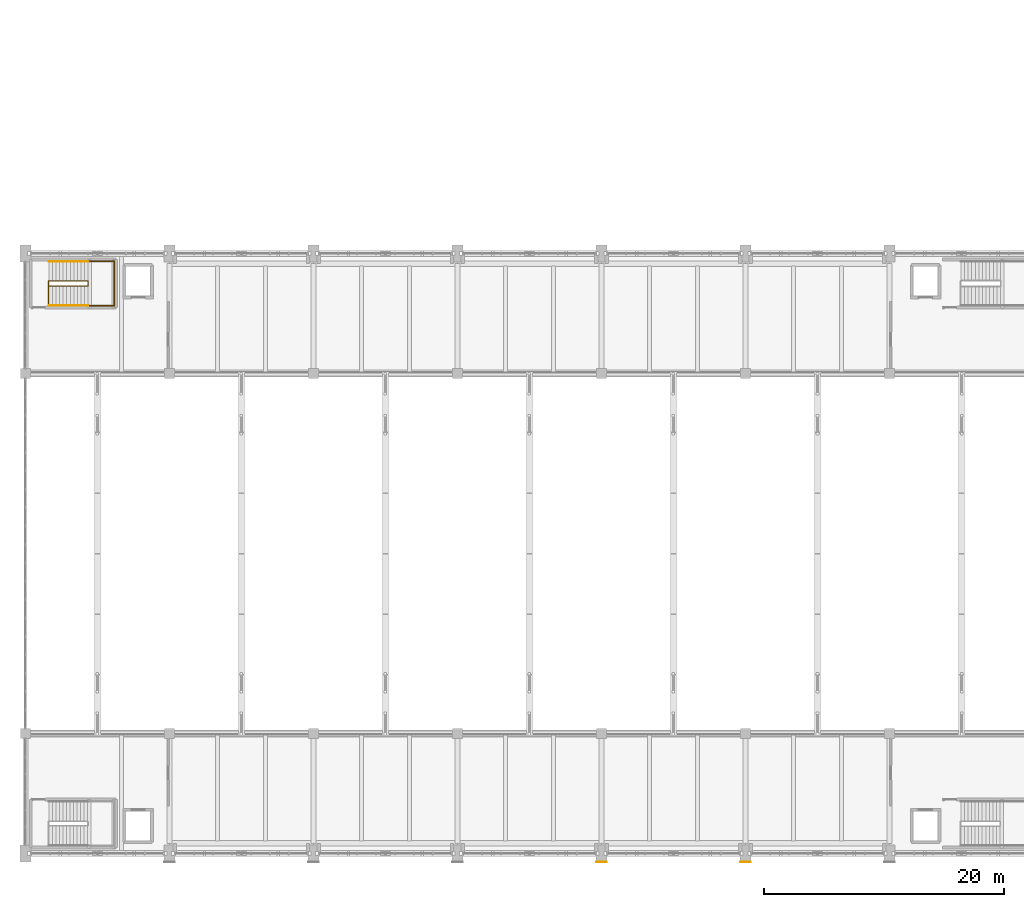
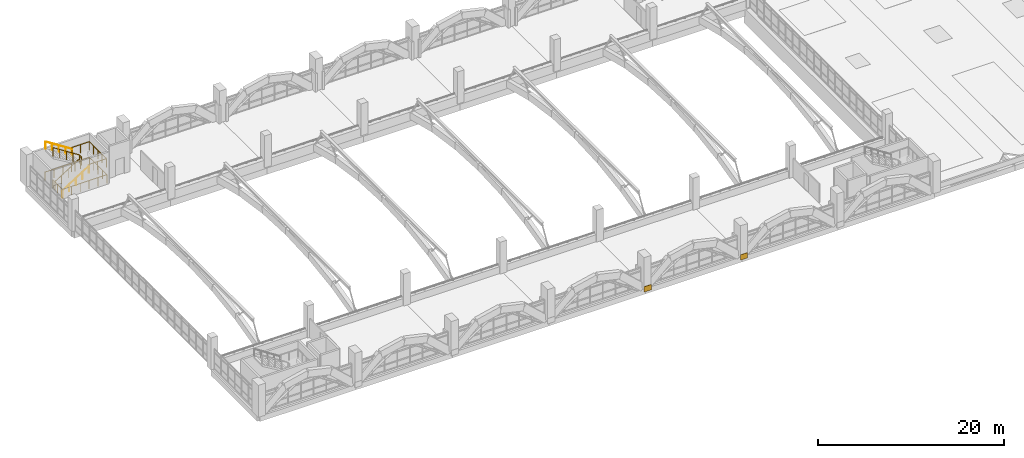
# One storey, part 155 of 161: 5 railings, 2 coverings.
"""IFC4 building model written with IfcOpenShell, lengths in metres."""

from ifc_helpers import new_model, si_unit, direction, frame, origin, origin_2d, place, context, subcontext, project, spatial, polyline, circle, outline, extrude, material, layer, layer_set, type_object, element, save


model = new_model("IFC4")

# Units and contexts
model_context = context("Model", 3, precision=1e-05, world=origin(), true_north=direction((0.0, 1.0)))
body_context = subcontext(model_context, "Body", "Model", "MODEL_VIEW")
ifc_project = project(units=[si_unit("LENGTHUNIT", "METRE"), si_unit("AREAUNIT", "SQUARE_METRE"), si_unit("VOLUMEUNIT", "CUBIC_METRE"), si_unit("PLANEANGLEUNIT", "RADIAN"), si_unit("MASSUNIT", "GRAM", prefix="KILO")], contexts=[model_context])

# Site, building, storey
site_placement = place(None, origin())
site = spatial("IfcSite", under=ifc_project, at=site_placement, CompositionType="ELEMENT")
building_placement = place(site_placement, origin())
building = spatial("IfcBuilding", under=site, at=building_placement, Name="Mersad Railyard Sports Hall", CompositionType="ELEMENT")
storey_placement = place(building_placement, frame((0.0, 0.0, 4.800048828125)))
storey = spatial("IfcBuildingStorey", under=building, at=storey_placement, Name="L01", CompositionType="ELEMENT", Elevation=4.800048828125)

# Coverings
ifc_material_1 = material(Name="Precast concrete C45/55", Category="concrete")
ifc_layer = layer(ifc_material_1, 0.0400390625)
ifc_layer_set = layer_set([ifc_layer], Name="Precast concrete C45/55")
covering_type = type_object("IfcCoveringType", Name="ARC-CV-CD01", PredefinedType="CLADDING", material=ifc_layer_set)
covering_1_placement = place(storey_placement, frame((0.0, 0.0, -0.300048828125)))
element("IfcCovering", 1, at=covering_1_placement, inside=storey, type_object=covering_type, Name="Arcade pier precast cladding 4 038", PredefinedType="CLADDING", context=body_context, shape_type="SweptSolid", body=[
    extrude(outline(polyline([(54.550048828125, 2.77001953125), (55.449951171875, 2.77001953125), (55.449951171875, 2.81005859375), (54.550048828125, 2.81005859375), (54.550048828125, 2.77001953125)])), origin(), (0.0, 0.0, 1.0), 0.699951171875),
])
covering_2_placement = place(storey_placement, frame((0.0, 0.0, -0.300048828125)))
element("IfcCovering", 2, at=covering_2_placement, inside=storey, type_object=covering_type, Name="Arcade pier precast cladding 5 039", PredefinedType="CLADDING", context=body_context, shape_type="SweptSolid", body=[
    extrude(outline(polyline([(66.550048828125, 2.77001953125), (67.449951171875, 2.77001953125), (67.449951171875, 2.81005859375), (66.550048828125, 2.81005859375), (66.550048828125, 2.77001953125)])), origin(), (0.0, 0.0, 1.0), 0.699951171875),
])

# Railings
ifc_material_2 = material(Name="Steel S355", Category="steel")
railing_type_1 = type_object("IfcRailingType", Name="ARC-RL-GR01", PredefinedType="GUARDRAIL", material=ifc_material_2)
railing_1_placement = place(storey_placement, frame((8.909912109375, 51.2099609375, 0.0)))
element("IfcRailing", 3, at=railing_1_placement, inside=storey, type_object=railing_type_1, Name="Interior guard GR01-0125", PredefinedType="GUARDRAIL", context=body_context, shape_type="SweptSolid", body=[
    extrude(circle(Radius=0.02392578125, at=origin_2d()), frame((0.0, 0.0, 1.09619140625), z_axis=(0.0, -1.0, 0.0), x_axis=(1.0, 0.0, 0.0)), (0.0, 0.0, 1.0), 2.08984375),
    extrude(circle(Radius=0.02392578125, at=origin_2d()), frame((0.0, -2.08984375, 1.09619140625), z_axis=(1.0, 0.0, 0.0), x_axis=(0.0, 1.0, 0.0)), (0.0, 0.0, 1.0), 5.52001953125),
    extrude(circle(Radius=0.02392578125, at=origin_2d()), frame((5.52001953125, -2.08984375, 1.09619140625), z_axis=(0.0, 1.0, 0.0), x_axis=(-1.0, 0.0, 0.0)), (0.0, 0.0, 1.0), 3.759765625),
    extrude(circle(Radius=0.02392578125, at=origin_2d()), frame((5.52001953125, 1.669921875, 1.09619140625), z_axis=(-1.0, 0.0, 0.0), x_axis=(0.0, -1.0, 0.0)), (0.0, 0.0, 1.0), 5.52001953125),
    extrude(circle(Radius=0.02099609375, at=origin_2d()), origin(), (0.0, 0.0, 1.0), 1.072021484375),
    extrude(circle(Radius=0.02099609375, at=origin_2d()), frame((0.0, -1.044921875, 0.0)), (0.0, 0.0, 1.0), 1.072021484375),
    extrude(circle(Radius=0.02099609375, at=origin_2d()), frame((0.0, -2.08984375, 0.0)), (0.0, 0.0, 1.0), 1.072021484375),
    extrude(circle(Radius=0.02099609375, at=origin_2d()), frame((1.10400390625, -2.08984375, 0.0)), (0.0, 0.0, 1.0), 1.072021484375),
    extrude(circle(Radius=0.02099609375, at=origin_2d()), frame((2.2080078125, -2.08984375, 0.0)), (0.0, 0.0, 1.0), 1.072021484375),
    extrude(circle(Radius=0.02099609375, at=origin_2d()), frame((3.31201171875, -2.08984375, 0.0)), (0.0, 0.0, 1.0), 1.072021484375),
    extrude(circle(Radius=0.02099609375, at=origin_2d()), frame((4.416015625, -2.08984375, 0.0)), (0.0, 0.0, 1.0), 1.072021484375),
    extrude(circle(Radius=0.02099609375, at=origin_2d()), frame((5.52001953125, -2.08984375, 0.0)), (0.0, 0.0, 1.0), 1.072021484375),
    extrude(circle(Radius=0.02099609375, at=origin_2d()), frame((5.52001953125, -1.14990234375, 0.0)), (0.0, 0.0, 1.0), 1.072021484375),
    extrude(circle(Radius=0.02099609375, at=origin_2d()), frame((5.52001953125, -0.2099609375, 0.0)), (0.0, 0.0, 1.0), 1.072021484375),
    extrude(circle(Radius=0.02099609375, at=origin_2d()), frame((5.52001953125, 0.72998046875, 0.0)), (0.0, 0.0, 1.0), 1.072021484375),
    extrude(circle(Radius=0.02099609375, at=origin_2d()), frame((5.52001953125, 1.669921875, 0.0)), (0.0, 0.0, 1.0), 1.072021484375),
    extrude(circle(Radius=0.02099609375, at=origin_2d()), frame((4.416015625, 1.669921875, 0.0)), (0.0, 0.0, 1.0), 1.072021484375),
    extrude(circle(Radius=0.02099609375, at=origin_2d()), frame((3.31201171875, 1.669921875, 0.0)), (0.0, 0.0, 1.0), 1.072021484375),
    extrude(circle(Radius=0.02099609375, at=origin_2d()), frame((2.2080078125, 1.669921875, 0.0)), (0.0, 0.0, 1.0), 1.072021484375),
    extrude(circle(Radius=0.02099609375, at=origin_2d()), frame((1.10400390625, 1.669921875, 0.0)), (0.0, 0.0, 1.0), 1.072021484375),
    extrude(circle(Radius=0.02099609375, at=origin_2d()), frame((0.0, 1.669921875, 0.0)), (0.0, 0.0, 1.0), 1.072021484375),
])
railing_2_placement = place(storey_placement, frame((8.949951171875, 50.7900390625, 0.0)))
element("IfcRailing", 4, at=railing_2_placement, inside=storey, type_object=railing_type_1, Name="Interior guard GR01-0128", PredefinedType="GUARDRAIL", context=body_context, shape_type="SweptSolid", body=[
    extrude(circle(Radius=0.02392578125, at=origin_2d()), frame((0.0, 0.0, 1.09619140625), z_axis=(0.842051513744, 0.0, 0.539397115492), x_axis=(0.0, 1.0, 0.0)), (0.0, 0.0, 1.0), 3.89306640625),
    extrude(circle(Radius=0.02392578125, at=origin_2d()), frame((3.278076171875, 0.0, 3.19580078125), z_axis=(0.0, 1.0, 0.0), x_axis=(-1.0, 0.0, 0.0)), (0.0, 0.0, 1.0), 0.419921875),
    extrude(circle(Radius=0.02392578125, at=origin_2d()), frame((3.278076171875, 0.419921875, 3.19580078125), z_axis=(-0.842023029142, 0.0, 0.53944158015), x_axis=(0.0, -1.0, 0.0)), (0.0, 0.0, 1.0), 3.89306640625),
    extrude(circle(Radius=0.02099609375, at=origin_2d()), origin(), (0.0, 0.0, 1.0), 1.072021484375),
    extrude(circle(Radius=0.02099609375, at=origin_2d()), frame((0.819580078125, 0.0, 0.52490234375)), (0.0, 0.0, 1.0), 1.072021484375),
    extrude(circle(Radius=0.02099609375, at=origin_2d()), frame((1.63916015625, 0.0, 1.0498046875)), (0.0, 0.0, 1.0), 1.072021484375),
    extrude(circle(Radius=0.02099609375, at=origin_2d()), frame((2.45849609375, 0.0, 1.574951171875)), (0.0, 0.0, 1.0), 1.072021484375),
    extrude(circle(Radius=0.02099609375, at=origin_2d()), frame((3.278076171875, 0.0, 2.099853515625)), (0.0, 0.0, 1.0), 1.072021484375),
    extrude(circle(Radius=0.02099609375, at=origin_2d()), frame((3.278076171875, 0.419921875, 2.099853515625)), (0.0, 0.0, 1.0), 1.072021484375),
    extrude(circle(Radius=0.02099609375, at=origin_2d()), frame((2.45849609375, 0.419921875, 2.625)), (0.0, 0.0, 1.0), 1.072021484375),
    extrude(circle(Radius=0.02099609375, at=origin_2d()), frame((1.63916015625, 0.419921875, 3.14990234375)), (0.0, 0.0, 1.0), 1.072021484375),
    extrude(circle(Radius=0.02099609375, at=origin_2d()), frame((0.819580078125, 0.419921875, 3.6748046875)), (0.0, 0.0, 1.0), 1.072021484375),
    extrude(circle(Radius=0.02099609375, at=origin_2d()), frame((0.0, 0.419921875, 4.199951171875)), (0.0, 0.0, 1.0), 1.072021484375),
])
railing_3_placement = place(storey_placement, frame((12.22802734375, 49.159912109375, 2.099853515625)))
element("IfcRailing", 5, at=railing_3_placement, inside=storey, type_object=railing_type_1, Name="Interior guard GR01-0129", PredefinedType="GUARDRAIL", context=body_context, shape_type="SweptSolid", body=[
    extrude(circle(Radius=0.02392578125, at=origin_2d()), frame((0.0, 0.0, 1.09619140625), z_axis=(1.0, 0.0, 0.0), x_axis=(0.0, 1.0, 0.0)), (0.0, 0.0, 1.0), 2.161865234375),
    extrude(circle(Radius=0.02392578125, at=origin_2d()), frame((2.161865234375, 0.0, 1.09619140625), z_axis=(0.0, 1.0, 0.0), x_axis=(-1.0, 0.0, 0.0)), (0.0, 0.0, 1.0), 3.68017578125),
    extrude(circle(Radius=0.02392578125, at=origin_2d()), frame((2.161865234375, 3.68017578125, 1.09619140625), z_axis=(-1.0, 0.0, 0.0), x_axis=(0.0, -1.0, 0.0)), (0.0, 0.0, 1.0), 2.161865234375),
    extrude(circle(Radius=0.02099609375, at=origin_2d()), origin(), (0.0, 0.0, 1.0), 1.072021484375),
    extrude(circle(Radius=0.02099609375, at=origin_2d()), frame((1.0810546875, 0.0, 0.0)), (0.0, 0.0, 1.0), 1.072021484375),
    extrude(circle(Radius=0.02099609375, at=origin_2d()), frame((2.161865234375, 0.0, 0.0)), (0.0, 0.0, 1.0), 1.072021484375),
    extrude(circle(Radius=0.02099609375, at=origin_2d()), frame((2.161865234375, 0.919921875, 0.0)), (0.0, 0.0, 1.0), 1.072021484375),
    extrude(circle(Radius=0.02099609375, at=origin_2d()), frame((2.161865234375, 1.840087890625, 0.0)), (0.0, 0.0, 1.0), 1.072021484375),
    extrude(circle(Radius=0.02099609375, at=origin_2d()), frame((2.161865234375, 2.76025390625, 0.0)), (0.0, 0.0, 1.0), 1.072021484375),
    extrude(circle(Radius=0.02099609375, at=origin_2d()), frame((2.161865234375, 3.68017578125, 0.0)), (0.0, 0.0, 1.0), 1.072021484375),
    extrude(circle(Radius=0.02099609375, at=origin_2d()), frame((1.0810546875, 3.68017578125, 0.0)), (0.0, 0.0, 1.0), 1.072021484375),
    extrude(circle(Radius=0.02099609375, at=origin_2d()), frame((0.0, 3.68017578125, 0.0)), (0.0, 0.0, 1.0), 1.072021484375),
])
railing_type_2 = type_object("IfcRailingType", Name="ARC-RL-HR01", PredefinedType="HANDRAIL", material=ifc_material_2)
railing_4_placement = place(storey_placement, frame((8.949951171875, 49.159912109375, 0.0)))
element("IfcRailing", 6, at=railing_4_placement, inside=storey, type_object=railing_type_2, Name="Interior handrail HR01-0126", PredefinedType="HANDRAIL", context=body_context, shape_type="SweptSolid", body=[
    extrude(circle(Radius=0.02392578125, at=origin_2d()), frame((0.0, 0.0, 0.89599609375), z_axis=(0.842051513744, 0.0, 0.539397115492), x_axis=(0.0, 1.0, 0.0)), (0.0, 0.0, 1.0), 3.89306640625),
    extrude(circle(Radius=0.02099609375, at=origin_2d()), origin(), (0.0, 0.0, 1.0), 0.871826171875),
    extrude(circle(Radius=0.02099609375, at=origin_2d()), frame((0.819580078125, 0.0, 0.52490234375)), (0.0, 0.0, 1.0), 0.871826171875),
    extrude(circle(Radius=0.02099609375, at=origin_2d()), frame((1.63916015625, 0.0, 1.0498046875)), (0.0, 0.0, 1.0), 0.871826171875),
    extrude(circle(Radius=0.02099609375, at=origin_2d()), frame((2.45849609375, 0.0, 1.574951171875)), (0.0, 0.0, 1.0), 0.871826171875),
    extrude(circle(Radius=0.02099609375, at=origin_2d()), frame((3.278076171875, 0.0, 2.099853515625)), (0.0, 0.0, 1.0), 0.871826171875),
])
railing_5_placement = place(storey_placement, frame((12.22802734375, 52.840087890625, 2.099853515625)))
element("IfcRailing", 7, at=railing_5_placement, inside=storey, type_object=railing_type_2, Name="Interior handrail HR01-0127", PredefinedType="HANDRAIL", context=body_context, shape_type="SweptSolid", body=[
    extrude(circle(Radius=0.02392578125, at=origin_2d()), frame((0.0, 0.0, 0.89599609375), z_axis=(-0.842023029142, 0.0, 0.53944158015), x_axis=(0.0, -1.0, 0.0)), (0.0, 0.0, 1.0), 3.89306640625),
    extrude(circle(Radius=0.02099609375, at=origin_2d()), origin(), (0.0, 0.0, 1.0), 0.871826171875),
    extrude(circle(Radius=0.02099609375, at=origin_2d()), frame((-0.819580078125, 0.0, 0.52490234375)), (0.0, 0.0, 1.0), 0.871826171875),
    extrude(circle(Radius=0.02099609375, at=origin_2d()), frame((-1.63916015625, 0.0, 1.050048828125)), (0.0, 0.0, 1.0), 0.871826171875),
    extrude(circle(Radius=0.02099609375, at=origin_2d()), frame((-2.45849609375, 0.0, 1.5751953125)), (0.0, 0.0, 1.0), 0.871826171875),
    extrude(circle(Radius=0.02099609375, at=origin_2d()), frame((-3.278076171875, 0.0, 2.10009765625)), (0.0, 0.0, 1.0), 0.871826171875),
])

save(model, "model.ifc")
